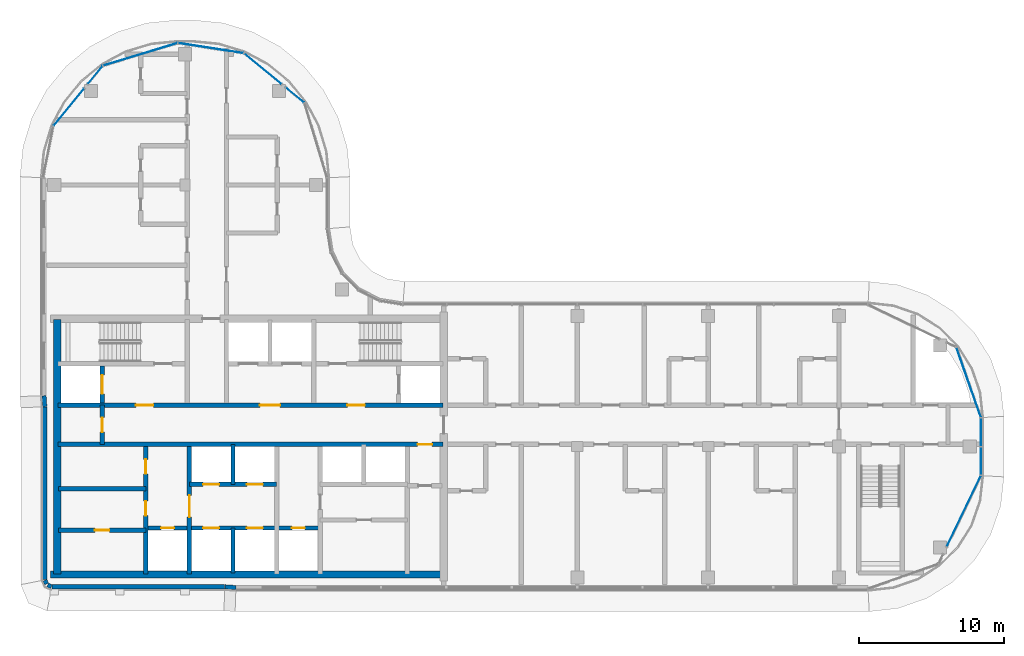
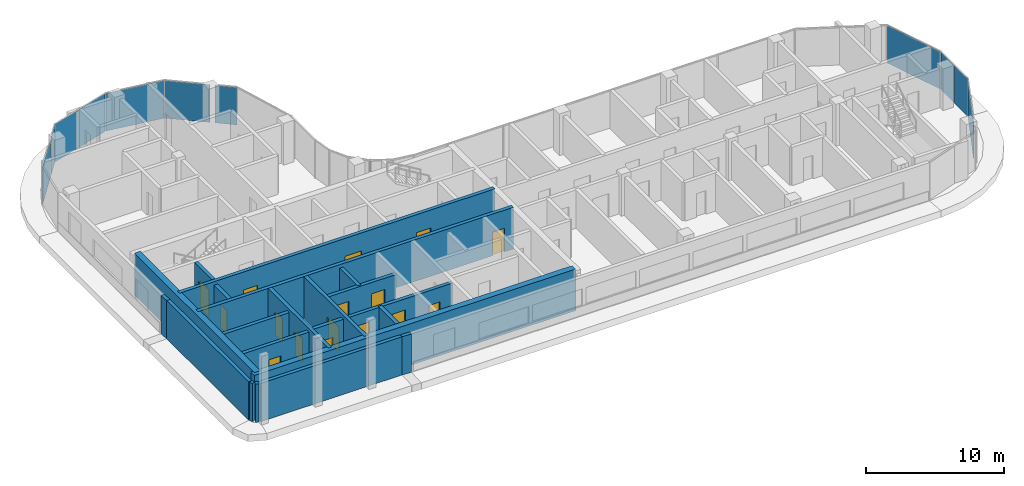
# One storey, part 12 of 22: 20 walls, 16 doors, 10 plates, 16 openings, 6 elements without a shape of their own.
"""IFC4 building model written with IfcOpenShell, lengths in metres."""

from ifc_helpers import new_model, si_unit, direction, frame, frame_2d, origin, origin_2d, place, context, subcontext, project, spatial, rectangle, extrude, material, layer, layer_set, type_object, element, fill, aggregate, save


model = new_model("IFC4")

# Units and contexts
model_context = context("Model", 3, precision=1e-05, world=origin(), true_north=direction((0.0, 1.0)))
body_context = subcontext(model_context, "Body", "Model", "MODEL_VIEW")
ifc_project = project(units=[si_unit("LENGTHUNIT", "METRE"), si_unit("AREAUNIT", "SQUARE_METRE"), si_unit("VOLUMEUNIT", "CUBIC_METRE"), si_unit("PLANEANGLEUNIT", "RADIAN"), si_unit("MASSUNIT", "GRAM", prefix="KILO")], contexts=[model_context])

# Site, building, storey
site_placement = place(None, origin())
site = spatial("IfcSite", under=ifc_project, at=site_placement, CompositionType="ELEMENT")
building_placement = place(site_placement, origin())
building = spatial("IfcBuilding", under=site, at=building_placement, Name="Ogive Portal Towers", CompositionType="ELEMENT")
storey_placement = place(building_placement, frame((0.0, 0.0, 206.89990234375)))
storey = spatial("IfcBuildingStorey", under=building, at=storey_placement, Name="L51", CompositionType="ELEMENT", Elevation=206.89990234375)

# Curtain wall, plates
ifc_material_1 = material(Name="Glass, clear low-iron insulated glazing", Category="glass")
curtain_wall_type = type_object("IfcCurtainWallType", Name="CW FRONT RIBBON 4500", PredefinedType="NOTDEFINED", material=ifc_material_1)
curtain_wall_1_placement = place(storey_placement, origin())
curtain_wall_1 = element("IfcCurtainWall", 1, at=curtain_wall_1_placement, inside=storey, type_object=curtain_wall_type, Name="A:L51:f08:cw0", PredefinedType="NOTDEFINED")
ifc_layer_1 = layer(ifc_material_1, 0.028076171875)
ifc_layer_set_1 = layer_set([ifc_layer_1], Name="CW PANEL IGU 28")
plate_type = type_object("IfcPlateType", Name="CW PANEL IGU 28", PredefinedType="CURTAIN_PANEL", material=ifc_layer_set_1)
plate_1_placement = place(storey_placement, frame((95.27490234375, 29.509033203125, 0.0), z_axis=(0.0, 0.0, 1.0), x_axis=(0.0, 1.0, 0.0)))
plate_1 = element("IfcPlate", 2, at=plate_1_placement, type_object=plate_type, Name="panel", PredefinedType="CURTAIN_PANEL", context=body_context, shape_type="SweptSolid", body=[
    extrude(rectangle(XDim=1.921630859375, YDim=0.028076171875, at=origin_2d()), origin(), (0.0, 0.0, 1.0), 3.340087890625),
])
plate_2_placement = place(storey_placement, frame((95.27490234375, 31.4931640625, 0.0), z_axis=(0.0, 0.0, 1.0), x_axis=(0.0, 1.0, 0.0)))
plate_2 = element("IfcPlate", 3, at=plate_2_placement, type_object=plate_type, Name="panel", PredefinedType="CURTAIN_PANEL", context=body_context, shape_type="SweptSolid", body=[
    extrude(rectangle(XDim=1.926513671875, YDim=0.028076171875, at=origin_2d()), origin(), (0.0, 0.0, 1.0), 3.340087890625),
])
aggregate(curtain_wall_1, [plate_1, plate_2])

# Curtain wall, plate
curtain_wall_2_placement = place(storey_placement, origin())
curtain_wall_2 = element("IfcCurtainWall", 4, at=curtain_wall_2_placement, inside=storey, type_object=curtain_wall_type, Name="A:L51:f06:cwa~1", PredefinedType="NOTDEFINED")
plate_3_placement = place(storey_placement, frame((94.08740234375, 26.052490234375, 0.0), z_axis=(0.0, 0.0, 1.0), x_axis=(0.433883739113, 0.900968867905, 0.0)))
plate_3 = element("IfcPlate", 5, at=plate_3_placement, type_object=plate_type, Name="panel", PredefinedType="CURTAIN_PANEL", context=body_context, shape_type="SweptSolid", body=[
    extrude(rectangle(XDim=5.413818359375, YDim=0.028076171875, at=origin_2d()), origin(), (0.0, 0.0, 1.0), 3.340087890625),
])
aggregate(curtain_wall_2, [plate_3])

curtain_wall_3_placement = place(storey_placement, origin())
curtain_wall_3 = element("IfcCurtainWall", 6, at=curtain_wall_3_placement, inside=storey, type_object=curtain_wall_type, Name="A:L51:f09:cwa~0", PredefinedType="NOTDEFINED")
plate_4_placement = place(storey_placement, frame((94.42578125, 34.9130859375, 0.0), z_axis=(0.0, 0.0, 1.0), x_axis=(-0.33027906196, 0.943883330307, 0.0)))
plate_4 = element("IfcPlate", 7, at=plate_4_placement, type_object=plate_type, Name="panel", PredefinedType="CURTAIN_PANEL", context=body_context, shape_type="SweptSolid", body=[
    extrude(rectangle(XDim=5.08203125, YDim=0.028076171875, at=origin_2d()), origin(), (0.0, 0.0, 1.0), 3.340087890625),
])
aggregate(curtain_wall_3, [plate_4])

curtain_wall_4_placement = place(storey_placement, origin())
curtain_wall_4 = element("IfcCurtainWall", 8, at=curtain_wall_4_placement, inside=storey, type_object=curtain_wall_type, Name="A:L51:f18:cwa~0", PredefinedType="NOTDEFINED")
plate_5_placement = place(storey_placement, frame((48.06591796875, 54.678466796875, 0.0), z_axis=(0.0, 0.0, 1.0), x_axis=(-0.773010453363, 0.634393284164, 0.0)))
plate_5 = element("IfcPlate", 9, at=plate_5_placement, type_object=plate_type, Name="panel", PredefinedType="CURTAIN_PANEL", context=body_context, shape_type="SweptSolid", body=[
    extrude(rectangle(XDim=1.603515625, YDim=0.028076171875, at=origin_2d()), origin(), (0.0, 0.0, 1.0), 3.340087890625),
])
aggregate(curtain_wall_4, [plate_5])

# Curtain wall, plates
curtain_wall_5_placement = place(storey_placement, origin())
curtain_wall_5 = element("IfcCurtainWall", 10, at=curtain_wall_5_placement, inside=storey, type_object=curtain_wall_type, Name="A:L51:f18:cwa~1", PredefinedType="NOTDEFINED")
plate_6_placement = place(storey_placement, frame((45.8525390625, 56.4951171875, 0.0), z_axis=(0.0, 0.0, 1.0), x_axis=(-0.773010453363, 0.634393284164, 0.0)))
plate_6 = element("IfcPlate", 11, at=plate_6_placement, type_object=plate_type, Name="panel", PredefinedType="CURTAIN_PANEL", context=body_context, shape_type="SweptSolid", body=[
    extrude(rectangle(XDim=3.31982421875, YDim=0.028076171875, at=origin_2d()), origin(), (0.0, 0.0, 1.0), 3.340087890625),
])
plate_7_placement = place(storey_placement, frame((42.27587890625, 57.920166015625, 0.0), z_axis=(0.0, 0.0, 1.0), x_axis=(-0.988127542509, 0.153635802256, 0.0)))
plate_7 = element("IfcPlate", 12, at=plate_7_placement, type_object=plate_type, Name="panel", PredefinedType="CURTAIN_PANEL", context=body_context, shape_type="SweptSolid", body=[
    extrude(rectangle(XDim=4.534912109375, YDim=0.028076171875, at=origin_2d()), origin(), (0.0, 0.0, 1.0), 3.340087890625),
])
plate_8_placement = place(storey_placement, frame((37.427490234375, 57.490966796875, 0.0), z_axis=(0.0, 0.0, 1.0), x_axis=(-0.956940335732, -0.290284677254, 0.0)))
plate_8 = element("IfcPlate", 13, at=plate_8_placement, type_object=plate_type, Name="panel", PredefinedType="CURTAIN_PANEL", context=body_context, shape_type="SweptSolid", body=[
    extrude(rectangle(XDim=5.32861328125, YDim=0.028076171875, at=origin_2d()), origin(), (0.0, 0.0, 1.0), 3.340087890625),
])
plate_9_placement = place(storey_placement, frame((34.321533203125, 56.06591796875, 0.0), z_axis=(0.0, 0.0, 1.0), x_axis=(-0.634393284164, -0.773010453363, 0.0)))
plate_9 = element("IfcPlate", 14, at=plate_9_placement, type_object=plate_type, Name="panel", PredefinedType="CURTAIN_PANEL", context=body_context, shape_type="SweptSolid", body=[
    extrude(rectangle(XDim=1.603515625, YDim=0.028076171875, at=origin_2d()), origin(), (0.0, 0.0, 1.0), 3.340087890625),
])
aggregate(curtain_wall_5, [plate_6, plate_7, plate_8, plate_9])

# Curtain wall, plate
curtain_wall_6_placement = place(storey_placement, origin())
curtain_wall_6 = element("IfcCurtainWall", 15, at=curtain_wall_6_placement, inside=storey, type_object=curtain_wall_type, Name="A:L51:f18:cwa~2", PredefinedType="NOTDEFINED")
plate_10_placement = place(storey_placement, frame((32.50439453125, 53.851806640625, 0.0), z_axis=(0.0, 0.0, 1.0), x_axis=(-0.634393284164, -0.773010453363, 0.0)))
plate_10 = element("IfcPlate", 16, at=plate_10_placement, type_object=plate_type, Name="panel", PredefinedType="CURTAIN_PANEL", context=body_context, shape_type="SweptSolid", body=[
    extrude(rectangle(XDim=3.32177734375, YDim=0.028076171875, at=origin_2d()), origin(), (0.0, 0.0, 1.0), 3.340087890625),
])
aggregate(curtain_wall_6, [plate_10])

# Wall, openings, doors
ifc_material_2 = material(Name="Concrete C60/75", Category="concrete")
ifc_layer_2 = layer(ifc_material_2, 0.300048828125)
ifc_layer_set_2 = layer_set([ifc_layer_2], Name="CORE WALL 300 C60")
wall_type_1 = type_object("IfcWallType", Name="CORE WALL 300 C60", PredefinedType="SHEAR", material=ifc_layer_set_2)
wall_1_placement = place(storey_placement, frame((37.800048828125, 21.75, 0.0), z_axis=(0.0, 0.0, 1.0), x_axis=(0.0, 1.0, 0.0)))
wall_1 = element("IfcWall", 17, at=wall_1_placement, inside=storey, type_object=wall_type_1, Name="Core wall X1 L51", PredefinedType="SHEAR", context=body_context, shape_type="SweptSolid", body=[
    extrude(rectangle(XDim=8.75, YDim=0.300048828125, at=frame_2d((4.375, 0.0))), origin(), (0.0, 0.0, 1.0), 3.7001953125),
])
opening_1_placement = place(wall_1_placement, frame((6.875, 0.0, 0.0)))
opening_1 = element("IfcOpeningElement", 18, at=opening_1_placement, cuts=wall_1, Name="Opening D23-021", PredefinedType="OPENING", context=body_context, shape_type="SweptSolid", body=[
    extrude(rectangle(XDim=1.0, YDim=2.10009765625, at=frame_2d((0.5, 1.050048828125))), frame((0.0, 0.16015625, 0.0), z_axis=(0.0, -1.0, 0.0), x_axis=(1.0, 0.0, 0.0)), (0.0, 0.0, 1.0), 0.320068359375),
])
opening_2_placement = place(wall_1_placement, frame((4.0, 0.0, 0.0)))
opening_2 = element("IfcOpeningElement", 19, at=opening_2_placement, cuts=wall_1, Name="Opening D23-022", PredefinedType="OPENING", context=body_context, shape_type="SweptSolid", body=[
    extrude(rectangle(XDim=1.0, YDim=2.10009765625, at=frame_2d((0.5, 1.050048828125))), frame((0.0, 0.16015625, 0.0), z_axis=(0.0, -1.0, 0.0), x_axis=(1.0, 0.0, 0.0)), (0.0, 0.0, 1.0), 0.320068359375),
])
ifc_material_3 = material(Name="Steel fire door", Category="steel")
door_type_1 = type_object("IfcDoorType", Name="DT-SWING-1000x2100-FD90S", OperationType="SINGLE_SWING_LEFT", PredefinedType="DOOR", material=ifc_material_3)
door_1_placement = place(opening_1_placement, origin())
door_1 = element("IfcDoor", 20, at=door_1_placement, inside=storey, type_object=door_type_1, Name="Door D23-021", OperationType="SINGLE_SWING_LEFT", OverallHeight=2.10009765625, OverallWidth=1.0, PredefinedType="DOOR", context=body_context, shape_type="SweptSolid", body=[
    extrude(rectangle(XDim=1.0, YDim=2.10009765625, at=frame_2d((0.5, 1.050048828125))), frame((0.0, 0.02490234375, 0.0), z_axis=(0.0, -1.0, 0.0), x_axis=(1.0, 0.0, 0.0)), (0.0, 0.0, 1.0), 0.050048828125),
])
fill(opening_1, door_1)
door_2_placement = place(opening_2_placement, origin())
door_2 = element("IfcDoor", 21, at=door_2_placement, inside=storey, type_object=door_type_1, Name="Door D23-022", OperationType="SINGLE_SWING_RIGHT", OverallHeight=2.10009765625, OverallWidth=1.0, PredefinedType="DOOR", context=body_context, shape_type="SweptSolid", body=[
    extrude(rectangle(XDim=1.0, YDim=2.10009765625, at=frame_2d((0.5, 1.050048828125))), frame((0.0, 0.02490234375, 0.0), z_axis=(0.0, -1.0, 0.0), x_axis=(1.0, 0.0, 0.0)), (0.0, 0.0, 1.0), 0.050048828125),
])
fill(opening_2, door_2)

# Wall, opening, door
wall_2_placement = place(storey_placement, frame((40.800048828125, 21.75, 0.0), z_axis=(0.0, 0.0, 1.0), x_axis=(0.0, 1.0, 0.0)))
wall_2 = element("IfcWall", 22, at=wall_2_placement, inside=storey, type_object=wall_type_1, Name="Core wall X2 L51", PredefinedType="SHEAR", context=body_context, shape_type="SweptSolid", body=[
    extrude(rectangle(XDim=8.75, YDim=0.300048828125, at=frame_2d((4.375, 0.0))), origin(), (0.0, 0.0, 1.0), 3.7001953125),
])
opening_3_placement = place(wall_2_placement, frame((3.89990234375, 0.0, 0.0)))
opening_3 = element("IfcOpeningElement", 23, at=opening_3_placement, cuts=wall_2, Name="Opening D23-001", PredefinedType="OPENING", context=body_context, shape_type="SweptSolid", body=[
    extrude(rectangle(XDim=1.5, YDim=2.10009765625, at=frame_2d((0.75, 1.050048828125))), frame((0.0, 0.16015625, 0.0), z_axis=(0.0, -1.0, 0.0), x_axis=(1.0, 0.0, 0.0)), (0.0, 0.0, 1.0), 0.320068359375),
])
door_type_2 = type_object("IfcDoorType", Name="DT-SWING-1500x2100-FD90S", OperationType="SINGLE_SWING_LEFT", PredefinedType="DOOR", material=ifc_material_3)
door_3_placement = place(opening_3_placement, origin())
door_3 = element("IfcDoor", 24, at=door_3_placement, inside=storey, type_object=door_type_2, Name="Door D23-001", OperationType="SINGLE_SWING_RIGHT", OverallHeight=2.10009765625, OverallWidth=1.5, PredefinedType="DOOR", context=body_context, shape_type="SweptSolid", body=[
    extrude(rectangle(XDim=1.5, YDim=2.10009765625, at=frame_2d((0.75, 1.050048828125))), frame((0.0, 0.02490234375, 0.0), z_axis=(0.0, -1.0, 0.0), x_axis=(1.0, 0.0, 0.0)), (0.0, 0.0, 1.0), 0.050048828125),
])
fill(opening_3, door_3)

wall_3_placement = place(storey_placement, frame((31.75, 30.64990234375, 0.0), z_axis=(0.0, 0.0, 1.0), x_axis=(1.0, 0.0, 0.0)))
wall_3 = element("IfcWall", 25, at=wall_3_placement, inside=storey, type_object=wall_type_1, Name="Core wall Y1 L51", PredefinedType="SHEAR", context=body_context, shape_type="SweptSolid", body=[
    extrude(rectangle(XDim=26.5, YDim=0.300048828125, at=frame_2d((13.25, 0.0))), origin(), (0.0, 0.0, 1.0), 3.7001953125),
])
opening_4_placement = place(wall_3_placement, frame((24.75, 0.0, 0.0)))
opening_4 = element("IfcOpeningElement", 26, at=opening_4_placement, cuts=wall_3, Name="Opening D23-009", PredefinedType="OPENING", context=body_context, shape_type="SweptSolid", body=[
    extrude(rectangle(XDim=1.0, YDim=2.10009765625, at=frame_2d((0.5, 1.050048828125))), frame((0.0, 0.16015625, 0.0), z_axis=(0.0, -1.0, 0.0), x_axis=(1.0, 0.0, 0.0)), (0.0, 0.0, 1.0), 0.320068359375),
])
door_4_placement = place(opening_4_placement, origin())
door_4 = element("IfcDoor", 27, at=door_4_placement, inside=storey, type_object=door_type_1, Name="Door D23-009", OperationType="SINGLE_SWING_LEFT", OverallHeight=2.10009765625, OverallWidth=1.0, PredefinedType="DOOR", context=body_context, shape_type="SweptSolid", body=[
    extrude(rectangle(XDim=1.0, YDim=2.10009765625, at=frame_2d((0.5, 1.050048828125))), frame((0.0, 0.02490234375, 0.0), z_axis=(0.0, -1.0, 0.0), x_axis=(1.0, 0.0, 0.0)), (0.0, 0.0, 1.0), 0.050048828125),
])
fill(opening_4, door_4)

# Wall, openings, doors
wall_4_placement = place(storey_placement, frame((31.75, 33.35009765625, 0.0), z_axis=(0.0, 0.0, 1.0), x_axis=(1.0, 0.0, 0.0)))
wall_4 = element("IfcWall", 28, at=wall_4_placement, inside=storey, type_object=wall_type_1, Name="Core wall Y2 L51", PredefinedType="SHEAR", context=body_context, shape_type="SweptSolid", body=[
    extrude(rectangle(XDim=26.5, YDim=0.300048828125, at=frame_2d((13.25, 0.0))), origin(), (0.0, 0.0, 1.0), 3.7001953125),
])
opening_5_placement = place(wall_4_placement, frame((13.89990234375, 0.0, 0.0)))
opening_5 = element("IfcOpeningElement", 29, at=opening_5_placement, cuts=wall_4, Name="Opening D23-002", PredefinedType="OPENING", context=body_context, shape_type="SweptSolid", body=[
    extrude(rectangle(XDim=1.39990234375, YDim=2.10009765625, at=frame_2d((0.699951171875, 1.050048828125))), frame((0.0, 0.16015625, 0.0), z_axis=(0.0, -1.0, 0.0), x_axis=(1.0, 0.0, 0.0)), (0.0, 0.0, 1.0), 0.320068359375),
])
opening_6_placement = place(wall_4_placement, frame((5.375, 0.0, 0.0)))
opening_6 = element("IfcOpeningElement", 30, at=opening_6_placement, cuts=wall_4, Name="Opening D23-003", PredefinedType="OPENING", context=body_context, shape_type="SweptSolid", body=[
    extrude(rectangle(XDim=1.199951171875, YDim=2.10009765625, at=frame_2d((0.60009765625, 1.050048828125))), frame((0.0, 0.16015625, 0.0), z_axis=(0.0, -1.0, 0.0), x_axis=(1.0, 0.0, 0.0)), (0.0, 0.0, 1.0), 0.320068359375),
])
opening_7_placement = place(wall_4_placement, frame((19.925048828125, 0.0, 0.0)))
opening_7 = element("IfcOpeningElement", 31, at=opening_7_placement, cuts=wall_4, Name="Opening D23-004", PredefinedType="OPENING", context=body_context, shape_type="SweptSolid", body=[
    extrude(rectangle(XDim=1.199951171875, YDim=2.10009765625, at=frame_2d((0.60009765625, 1.050048828125))), frame((0.0, 0.16015625, 0.0), z_axis=(0.0, -1.0, 0.0), x_axis=(1.0, 0.0, 0.0)), (0.0, 0.0, 1.0), 0.320068359375),
])
door_type_3 = type_object("IfcDoorType", Name="DT-SWING-1200x2100-FD90S", OperationType="SINGLE_SWING_LEFT", PredefinedType="DOOR", material=ifc_material_3)
door_5_placement = place(opening_6_placement, origin())
door_5 = element("IfcDoor", 32, at=door_5_placement, inside=storey, type_object=door_type_3, Name="Door D23-003", OperationType="SINGLE_SWING_LEFT", OverallHeight=2.10009765625, OverallWidth=1.199951171875, PredefinedType="DOOR", context=body_context, shape_type="SweptSolid", body=[
    extrude(rectangle(XDim=1.199951171875, YDim=2.10009765625, at=frame_2d((0.60009765625, 1.050048828125))), frame((0.0, 0.02490234375, 0.0), z_axis=(0.0, -1.0, 0.0), x_axis=(1.0, 0.0, 0.0)), (0.0, 0.0, 1.0), 0.050048828125),
])
fill(opening_6, door_5)
door_6_placement = place(opening_7_placement, origin())
door_6 = element("IfcDoor", 33, at=door_6_placement, inside=storey, type_object=door_type_3, Name="Door D23-004", OperationType="SINGLE_SWING_RIGHT", OverallHeight=2.10009765625, OverallWidth=1.199951171875, PredefinedType="DOOR", context=body_context, shape_type="SweptSolid", body=[
    extrude(rectangle(XDim=1.199951171875, YDim=2.10009765625, at=frame_2d((0.60009765625, 1.050048828125))), frame((0.0, 0.02490234375, 0.0), z_axis=(0.0, -1.0, 0.0), x_axis=(1.0, 0.0, 0.0)), (0.0, 0.0, 1.0), 0.050048828125),
])
fill(opening_7, door_6)
door_type_4 = type_object("IfcDoorType", Name="DT-SWING-1400x2100-FD90S", OperationType="SINGLE_SWING_LEFT", PredefinedType="DOOR", material=ifc_material_3)
door_7_placement = place(opening_5_placement, origin())
door_7 = element("IfcDoor", 34, at=door_7_placement, inside=storey, type_object=door_type_4, Name="Door D23-002", OperationType="SINGLE_SWING_RIGHT", OverallHeight=2.10009765625, OverallWidth=1.39990234375, PredefinedType="DOOR", context=body_context, shape_type="SweptSolid", body=[
    extrude(rectangle(XDim=1.39990234375, YDim=2.10009765625, at=frame_2d((0.699951171875, 1.050048828125))), frame((0.0, 0.02490234375, 0.0), z_axis=(0.0, -1.0, 0.0), x_axis=(1.0, 0.0, 0.0)), (0.0, 0.0, 1.0), 0.050048828125),
])
fill(opening_5, door_7)

# Wall, opening, door
wall_5_placement = place(storey_placement, frame((34.800048828125, 33.5, 0.0), z_axis=(0.0, 0.0, 1.0), x_axis=(0.0, 1.0, 0.0)))
wall_5 = element("IfcWall", 35, at=wall_5_placement, inside=storey, type_object=wall_type_1, Name="Core wall X8 L51", PredefinedType="SHEAR", context=body_context, shape_type="SweptSolid", body=[
    extrude(rectangle(XDim=2.550048828125, YDim=0.300048828125, at=frame_2d((1.27490234375, 0.0))), origin(), (0.0, 0.0, 1.0), 3.7001953125),
])
opening_8_placement = place(wall_5_placement, frame((0.625, 0.0, 0.0)))
opening_8 = element("IfcOpeningElement", 36, at=opening_8_placement, cuts=wall_5, Name="Opening D23-019", PredefinedType="OPENING", context=body_context, shape_type="SweptSolid", body=[
    extrude(rectangle(XDim=1.300048828125, YDim=2.39990234375, at=frame_2d((0.64990234375, 1.199951171875))), frame((0.0, 0.16015625, 0.0), z_axis=(0.0, -1.0, 0.0), x_axis=(1.0, 0.0, 0.0)), (0.0, 0.0, 1.0), 0.320068359375),
])
ifc_material_4 = material(Name="Stainless steel", Category="steel")
door_type_5 = type_object("IfcDoorType", Name="DT-LD-1300x2400", OperationType="SLIDING_TO_LEFT", PredefinedType="DOOR", material=ifc_material_4)
door_8_placement = place(opening_8_placement, origin())
door_8 = element("IfcDoor", 37, at=door_8_placement, inside=storey, type_object=door_type_5, Name="Door D23-019", OperationType="SLIDING_TO_LEFT", OverallHeight=2.39990234375, OverallWidth=1.300048828125, PredefinedType="DOOR", context=body_context, shape_type="SweptSolid", body=[
    extrude(rectangle(XDim=1.300048828125, YDim=2.39990234375, at=frame_2d((0.64990234375, 1.199951171875))), frame((0.0, 0.02490234375, 0.0), z_axis=(0.0, -1.0, 0.0), x_axis=(1.0, 0.0, 0.0)), (0.0, 0.0, 1.0), 0.050048828125),
])
fill(opening_8, door_8)

# Walls
ifc_layer_3 = layer(ifc_material_2, 0.5)
ifc_layer_set_3 = layer_set([ifc_layer_3], Name="CORE WALL 500 C60")
wall_type_2 = type_object("IfcWallType", Name="CORE WALL 500 C60", PredefinedType="SHEAR", material=ifc_layer_set_3)
wall_6_placement = place(storey_placement, frame((31.699951171875, 21.75, 0.0), z_axis=(0.0, 0.0, 1.0), x_axis=(0.0, 1.0, 0.0)))
element("IfcWall", 38, at=wall_6_placement, inside=storey, type_object=wall_type_2, Name="Core wall W L51", PredefinedType="SHEAR", context=body_context, shape_type="SweptSolid", body=[
    extrude(rectangle(XDim=17.5, YDim=0.5, at=frame_2d((8.75, 0.0))), origin(), (0.0, 0.0, 1.0), 3.7001953125),
])
wall_7_placement = place(storey_placement, frame((31.25, 21.699951171875, 0.0), z_axis=(0.0, 0.0, 1.0), x_axis=(1.0, 0.0, 0.0)))
element("IfcWall", 39, at=wall_7_placement, inside=storey, type_object=wall_type_2, Name="Core wall S L51", PredefinedType="SHEAR", context=body_context, shape_type="SweptSolid", body=[
    extrude(rectangle(XDim=27.0, YDim=0.5, at=frame_2d((13.5, 0.0))), origin(), (0.0, 0.0, 1.0), 3.7001953125),
])
ifc_material_5 = material(Name="Limestone cladding on lightweight block wall", Category="masonry")
ifc_layer_4 = layer(ifc_material_5, 0.300048828125)
ifc_layer_set_4 = layer_set([ifc_layer_4], Name="EXTERNAL WALL 300 STONE")
wall_type_3 = type_object("IfcWallType", Name="EXTERNAL WALL 300 STONE", PredefinedType="SOLIDWALL", material=ifc_layer_set_4)
wall_8_placement = place(storey_placement, frame((30.85009765625, 33.23095703125, 0.0), z_axis=(0.0, 0.0, 1.0), x_axis=(0.0, -1.0, 0.0)))
element("IfcWall", 40, at=wall_8_placement, inside=storey, type_object=wall_type_3, Name="A:L51:f00:r0:wall", PredefinedType="SOLIDWALL", context=body_context, shape_type="SweptSolid", body=[
    extrude(rectangle(XDim=11.871337890625, YDim=0.300048828125, at=frame_2d((5.935546875, 0.0))), origin(), (0.0, 0.0, 1.0), 3.400146484375),
])
for number, where, z_axis, x_axis, name in (
    (41, (30.861328125, 21.30224609375, 0.0), (0.0, 0.0, 1.0), (0.38297812142, -0.923757413239, 0.0), "A:L51:f01:r0:wall"),
    (42, (31.0478515625, 20.966796875, 0.0), (0.0, 0.0, 1.0), (0.923757413239, -0.38297812142, 0.0), "A:L51:f02:r0:wall"),
):
    element("IfcWall", number, at=place(storey_placement, frame(where, z_axis=z_axis, x_axis=x_axis)), inside=storey, type_object=wall_type_3, Name=name, PredefinedType="SOLIDWALL", context=body_context, shape_type="SweptSolid", body=[
        extrude(rectangle(XDim=0.275390625, YDim=0.300048828125, at=frame_2d((0.1376953125, 0.0))), origin(), (0.0, 0.0, 1.0), 3.400146484375),
    ])
wall_9_placement = place(storey_placement, frame((31.359619140625, 20.85009765625, 0.0), z_axis=(0.0, 0.0, 1.0), x_axis=(1.0, 0.0, 0.0)))
element("IfcWall", 43, at=wall_9_placement, inside=storey, type_object=wall_type_3, Name="A:L51:f03:r0:wall", PredefinedType="SOLIDWALL", context=body_context, shape_type="SweptSolid", body=[
    extrude(rectangle(XDim=11.871337890625, YDim=0.300048828125, at=frame_2d((5.935546875, 0.0))), origin(), (0.0, 0.0, 1.0), 3.400146484375),
])
for number, where, z_axis, x_axis, name in (
    (44, (43.24169921875, 20.849609375, 0.0), (0.0, 0.0, 1.0), (0.997455438499, -0.07129269393, 0.0), "A:L51:f04:r0:wall"),
    (45, (30.79541015625, 34.0, 0.0), (0.0, 0.0, 1.0), (0.07129269393, -0.997455438499, 0.0), "A:L51:f25:r0:wall"),
):
    element("IfcWall", number, at=place(storey_placement, frame(where, z_axis=z_axis, x_axis=x_axis)), inside=storey, type_object=wall_type_3, Name=name, PredefinedType="SOLIDWALL", context=body_context, shape_type="SweptSolid", body=[
        extrude(rectangle(XDim=0.76025390625, YDim=0.300048828125, at=frame_2d((0.380126953125, 0.0))), origin(), (0.0, 0.0, 1.0), 3.400146484375),
    ])

# Wall, opening, door
ifc_material_6 = material(Name="Gypsum board partition on steel studs", Category="steel")
ifc_layer_5 = layer(ifc_material_6, 0.300048828125)
ifc_layer_set_5 = layer_set([ifc_layer_5], Name="WT-PART-300")
wall_type_4 = type_object("IfcWallType", Name="WT-PART-300", PredefinedType="PARTITIONING", material=ifc_layer_set_5)
wall_10_placement = place(storey_placement, frame((31.800048828125, 24.75, 0.0), z_axis=(0.0, 0.0, 1.0), x_axis=(1.0, 0.0, 0.0)))
wall_10 = element("IfcWall", 46, at=wall_10_placement, inside=storey, type_object=wall_type_4, Name="Wall pw:001:L51", PredefinedType="PARTITIONING", context=body_context, shape_type="SweptSolid", body=[
    extrude(rectangle(XDim=6.0, YDim=0.300048828125, at=frame_2d((3.0, 0.0))), origin(), (0.0, 0.0, 1.0), 3.400146484375),
])
opening_9_placement = place(wall_10_placement, frame((2.5, 0.0, 0.0)))
opening_9 = element("IfcOpeningElement", 47, at=opening_9_placement, cuts=wall_10, Name="Opening D23-023", PredefinedType="OPENING", context=body_context, shape_type="SweptSolid", body=[
    extrude(rectangle(XDim=1.0, YDim=2.10009765625, at=frame_2d((0.5, 1.050048828125))), frame((0.0, 0.16015625, 0.0), z_axis=(0.0, -1.0, 0.0), x_axis=(1.0, 0.0, 0.0)), (0.0, 0.0, 1.0), 0.320068359375),
])
door_type_6 = type_object("IfcDoorType", Name="DT-SWING-1000x2100-FD60S", OperationType="SINGLE_SWING_LEFT", PredefinedType="DOOR", material=ifc_material_3)
door_9_placement = place(opening_9_placement, origin())
door_9 = element("IfcDoor", 48, at=door_9_placement, inside=storey, type_object=door_type_6, Name="Door D23-023", OperationType="SINGLE_SWING_RIGHT", OverallHeight=2.10009765625, OverallWidth=1.0, PredefinedType="DOOR", context=body_context, shape_type="SweptSolid", body=[
    extrude(rectangle(XDim=1.0, YDim=2.10009765625, at=frame_2d((0.5, 1.050048828125))), frame((0.0, 0.02490234375, 0.0), z_axis=(0.0, -1.0, 0.0), x_axis=(1.0, 0.0, 0.0)), (0.0, 0.0, 1.0), 0.050048828125),
])
fill(opening_9, door_9)

# Wall
wall_11_placement = place(storey_placement, frame((31.800048828125, 27.60009765625, 0.0), z_axis=(0.0, 0.0, 1.0), x_axis=(1.0, 0.0, 0.0)))
element("IfcWall", 49, at=wall_11_placement, inside=storey, type_object=wall_type_4, Name="Wall pw:004:L51", PredefinedType="PARTITIONING", context=body_context, shape_type="SweptSolid", body=[
    extrude(rectangle(XDim=6.0, YDim=0.300048828125, at=frame_2d((3.0, 0.0))), origin(), (0.0, 0.0, 1.0), 3.400146484375),
])

# Wall, openings, doors
ifc_material_7 = material(Name="Concrete C40/50", Category="concrete")
ifc_layer_6 = layer(ifc_material_7, 0.300048828125)
ifc_layer_set_6 = layer_set([ifc_layer_6], Name="WT-SHAFT-300")
wall_type_5 = type_object("IfcWallType", Name="WT-SHAFT-300", PredefinedType="SOLIDWALL", material=ifc_layer_set_6)
wall_12_placement = place(storey_placement, frame((37.800048828125, 24.89990234375, 0.0), z_axis=(0.0, 0.0, 1.0), x_axis=(1.0, 0.0, 0.0)))
wall_12 = element("IfcWall", 50, at=wall_12_placement, inside=storey, type_object=wall_type_5, Name="Wall pw:002:L51", PredefinedType="SOLIDWALL", context=body_context, shape_type="SweptSolid", body=[
    extrude(rectangle(XDim=12.0, YDim=0.300048828125, at=frame_2d((6.0, 0.0))), origin(), (0.0, 0.0, 1.0), 3.400146484375),
])
opening_10_placement = place(wall_12_placement, frame((1.050048828125, 0.0, 0.0)))
opening_10 = element("IfcOpeningElement", 51, at=opening_10_placement, cuts=wall_12, Name="Opening D23-007", PredefinedType="OPENING", context=body_context, shape_type="SweptSolid", body=[
    extrude(rectangle(XDim=0.89990234375, YDim=2.10009765625, at=frame_2d((0.449951171875, 1.050048828125))), frame((0.0, 0.16015625, 0.0), z_axis=(0.0, -1.0, 0.0), x_axis=(1.0, 0.0, 0.0)), (0.0, 0.0, 1.0), 0.320068359375),
])
opening_11_placement = place(wall_12_placement, frame((10.050048828125, 0.0, 0.0)))
opening_11 = element("IfcOpeningElement", 52, at=opening_11_placement, cuts=wall_12, Name="Opening D23-008", PredefinedType="OPENING", context=body_context, shape_type="SweptSolid", body=[
    extrude(rectangle(XDim=0.89990234375, YDim=2.10009765625, at=frame_2d((0.449951171875, 1.050048828125))), frame((0.0, 0.16015625, 0.0), z_axis=(0.0, -1.0, 0.0), x_axis=(1.0, 0.0, 0.0)), (0.0, 0.0, 1.0), 0.320068359375),
])
opening_12_placement = place(wall_12_placement, frame((3.949951171875, 0.0, 0.0)))
opening_12 = element("IfcOpeningElement", 53, at=opening_12_placement, cuts=wall_12, Name="Opening D23-013", PredefinedType="OPENING", context=body_context, shape_type="SweptSolid", body=[
    extrude(rectangle(XDim=1.10009765625, YDim=2.39990234375, at=frame_2d((0.550048828125, 1.199951171875))), frame((0.0, 0.16015625, 0.0), z_axis=(0.0, -1.0, 0.0), x_axis=(1.0, 0.0, 0.0)), (0.0, 0.0, 1.0), 0.320068359375),
])
opening_13_placement = place(wall_12_placement, frame((6.949951171875, 0.0, 0.0)))
opening_13 = element("IfcOpeningElement", 54, at=opening_13_placement, cuts=wall_12, Name="Opening D23-014", PredefinedType="OPENING", context=body_context, shape_type="SweptSolid", body=[
    extrude(rectangle(XDim=1.10009765625, YDim=2.39990234375, at=frame_2d((0.550048828125, 1.199951171875))), frame((0.0, 0.16015625, 0.0), z_axis=(0.0, -1.0, 0.0), x_axis=(1.0, 0.0, 0.0)), (0.0, 0.0, 1.0), 0.320068359375),
])
door_type_7 = type_object("IfcDoorType", Name="DT-LD-1100x2400", OperationType="SLIDING_TO_LEFT", PredefinedType="DOOR", material=ifc_material_4)
door_10_placement = place(opening_12_placement, origin())
door_10 = element("IfcDoor", 55, at=door_10_placement, inside=storey, type_object=door_type_7, Name="Door D23-013", OperationType="SLIDING_TO_LEFT", OverallHeight=2.39990234375, OverallWidth=1.10009765625, PredefinedType="DOOR", context=body_context, shape_type="SweptSolid", body=[
    extrude(rectangle(XDim=1.10009765625, YDim=2.39990234375, at=frame_2d((0.550048828125, 1.199951171875))), frame((0.0, 0.02490234375, 0.0), z_axis=(0.0, -1.0, 0.0), x_axis=(1.0, 0.0, 0.0)), (0.0, 0.0, 1.0), 0.050048828125),
])
fill(opening_12, door_10)
door_11_placement = place(opening_13_placement, origin())
door_11 = element("IfcDoor", 56, at=door_11_placement, inside=storey, type_object=door_type_7, Name="Door D23-014", OperationType="SLIDING_TO_LEFT", OverallHeight=2.39990234375, OverallWidth=1.10009765625, PredefinedType="DOOR", context=body_context, shape_type="SweptSolid", body=[
    extrude(rectangle(XDim=1.10009765625, YDim=2.39990234375, at=frame_2d((0.550048828125, 1.199951171875))), frame((0.0, 0.02490234375, 0.0), z_axis=(0.0, -1.0, 0.0), x_axis=(1.0, 0.0, 0.0)), (0.0, 0.0, 1.0), 0.050048828125),
])
fill(opening_13, door_11)
door_type_8 = type_object("IfcDoorType", Name="DT-SWING-900x2100-FD90S", OperationType="SINGLE_SWING_LEFT", PredefinedType="DOOR", material=ifc_material_3)
door_12_placement = place(opening_10_placement, origin())
door_12 = element("IfcDoor", 57, at=door_12_placement, inside=storey, type_object=door_type_8, Name="Riser access door D23-007", OperationType="SINGLE_SWING_LEFT", OverallHeight=2.10009765625, OverallWidth=0.89990234375, PredefinedType="DOOR", context=body_context, shape_type="SweptSolid", body=[
    extrude(rectangle(XDim=0.89990234375, YDim=2.10009765625, at=frame_2d((0.449951171875, 1.050048828125))), frame((0.0, 0.02490234375, 0.0), z_axis=(0.0, -1.0, 0.0), x_axis=(1.0, 0.0, 0.0)), (0.0, 0.0, 1.0), 0.050048828125),
])
fill(opening_10, door_12)
door_13_placement = place(opening_11_placement, origin())
door_13 = element("IfcDoor", 58, at=door_13_placement, inside=storey, type_object=door_type_8, Name="Riser access door D23-008", OperationType="SINGLE_SWING_RIGHT", OverallHeight=2.10009765625, OverallWidth=0.89990234375, PredefinedType="DOOR", context=body_context, shape_type="SweptSolid", body=[
    extrude(rectangle(XDim=0.89990234375, YDim=2.10009765625, at=frame_2d((0.449951171875, 1.050048828125))), frame((0.0, 0.02490234375, 0.0), z_axis=(0.0, -1.0, 0.0), x_axis=(1.0, 0.0, 0.0)), (0.0, 0.0, 1.0), 0.050048828125),
])
fill(opening_11, door_13)

wall_13_placement = place(storey_placement, frame((40.800048828125, 27.89990234375, 0.0), z_axis=(0.0, 0.0, 1.0), x_axis=(1.0, 0.0, 0.0)))
wall_13 = element("IfcWall", 59, at=wall_13_placement, inside=storey, type_object=wall_type_5, Name="Wall pw:006:L51", PredefinedType="SOLIDWALL", context=body_context, shape_type="SweptSolid", body=[
    extrude(rectangle(XDim=6.0, YDim=0.300048828125, at=frame_2d((3.0, 0.0))), origin(), (0.0, 0.0, 1.0), 3.400146484375),
])
opening_14_placement = place(wall_13_placement, frame((0.949951171875, 0.0, 0.0)))
opening_14 = element("IfcOpeningElement", 60, at=opening_14_placement, cuts=wall_13, Name="Opening D23-015", PredefinedType="OPENING", context=body_context, shape_type="SweptSolid", body=[
    extrude(rectangle(XDim=1.10009765625, YDim=2.39990234375, at=frame_2d((0.550048828125, 1.199951171875))), frame((0.0, 0.16015625, 0.0), z_axis=(0.0, -1.0, 0.0), x_axis=(1.0, 0.0, 0.0)), (0.0, 0.0, 1.0), 0.320068359375),
])
opening_15_placement = place(wall_13_placement, frame((3.949951171875, 0.0, 0.0)))
opening_15 = element("IfcOpeningElement", 61, at=opening_15_placement, cuts=wall_13, Name="Opening D23-016", PredefinedType="OPENING", context=body_context, shape_type="SweptSolid", body=[
    extrude(rectangle(XDim=1.10009765625, YDim=2.39990234375, at=frame_2d((0.550048828125, 1.199951171875))), frame((0.0, 0.16015625, 0.0), z_axis=(0.0, -1.0, 0.0), x_axis=(1.0, 0.0, 0.0)), (0.0, 0.0, 1.0), 0.320068359375),
])
door_14_placement = place(opening_14_placement, origin())
door_14 = element("IfcDoor", 62, at=door_14_placement, inside=storey, type_object=door_type_7, Name="Door D23-015", OperationType="SLIDING_TO_LEFT", OverallHeight=2.39990234375, OverallWidth=1.10009765625, PredefinedType="DOOR", context=body_context, shape_type="SweptSolid", body=[
    extrude(rectangle(XDim=1.10009765625, YDim=2.39990234375, at=frame_2d((0.550048828125, 1.199951171875))), frame((0.0, 0.02490234375, 0.0), z_axis=(0.0, -1.0, 0.0), x_axis=(1.0, 0.0, 0.0)), (0.0, 0.0, 1.0), 0.050048828125),
])
fill(opening_14, door_14)
door_15_placement = place(opening_15_placement, origin())
door_15 = element("IfcDoor", 63, at=door_15_placement, inside=storey, type_object=door_type_7, Name="Door D23-016", OperationType="SLIDING_TO_LEFT", OverallHeight=2.39990234375, OverallWidth=1.10009765625, PredefinedType="DOOR", context=body_context, shape_type="SweptSolid", body=[
    extrude(rectangle(XDim=1.10009765625, YDim=2.39990234375, at=frame_2d((0.550048828125, 1.199951171875))), frame((0.0, 0.02490234375, 0.0), z_axis=(0.0, -1.0, 0.0), x_axis=(1.0, 0.0, 0.0)), (0.0, 0.0, 1.0), 0.050048828125),
])
fill(opening_15, door_15)

# Wall, opening, door
wall_14_placement = place(storey_placement, frame((34.800048828125, 30.64990234375, 0.0), z_axis=(0.0, 0.0, 1.0), x_axis=(0.0, 1.0, 0.0)))
wall_14 = element("IfcWall", 64, at=wall_14_placement, inside=storey, type_object=wall_type_5, Name="Wall pw:008:L51", PredefinedType="SOLIDWALL", context=body_context, shape_type="SweptSolid", body=[
    extrude(rectangle(XDim=2.7001953125, YDim=0.300048828125, at=frame_2d((1.35009765625, 0.0))), origin(), (0.0, 0.0, 1.0), 3.400146484375),
])
opening_16_placement = place(wall_14_placement, frame((0.85009765625, 0.0, 0.0)))
opening_16 = element("IfcOpeningElement", 65, at=opening_16_placement, cuts=wall_14, Name="Opening D23-026", PredefinedType="OPENING", context=body_context, shape_type="SweptSolid", body=[
    extrude(rectangle(XDim=1.0, YDim=2.10009765625, at=frame_2d((0.5, 1.050048828125))), frame((0.0, 0.16015625, 0.0), z_axis=(0.0, -1.0, 0.0), x_axis=(1.0, 0.0, 0.0)), (0.0, 0.0, 1.0), 0.320068359375),
])
door_16_placement = place(opening_16_placement, origin())
door_16 = element("IfcDoor", 66, at=door_16_placement, inside=storey, type_object=door_type_1, Name="Door D23-026", OperationType="SINGLE_SWING_RIGHT", OverallHeight=2.10009765625, OverallWidth=1.0, PredefinedType="DOOR", context=body_context, shape_type="SweptSolid", body=[
    extrude(rectangle(XDim=1.0, YDim=2.10009765625, at=frame_2d((0.5, 1.050048828125))), frame((0.0, 0.02490234375, 0.0), z_axis=(0.0, -1.0, 0.0), x_axis=(1.0, 0.0, 0.0)), (0.0, 0.0, 1.0), 0.050048828125),
])
fill(opening_16, door_16)

# Walls
wall_15_placement = place(storey_placement, frame((43.800048828125, 21.800048828125, 0.0), z_axis=(0.0, 0.0, 1.0), x_axis=(0.0, 1.0, 0.0)))
element("IfcWall", 67, at=wall_15_placement, inside=storey, type_object=wall_type_5, Name="Wall pw:009:L51", PredefinedType="SOLIDWALL", context=body_context, shape_type="SweptSolid", body=[
    extrude(rectangle(XDim=3.099853515625, YDim=0.300048828125, at=frame_2d((1.5498046875, 0.0))), origin(), (0.0, 0.0, 1.0), 3.400146484375),
])
wall_16_placement = place(storey_placement, frame((43.800048828125, 27.89990234375, 0.0), z_axis=(0.0, 0.0, 1.0), x_axis=(0.0, 1.0, 0.0)))
element("IfcWall", 68, at=wall_16_placement, inside=storey, type_object=wall_type_5, Name="Wall pw:010:L51", PredefinedType="SOLIDWALL", context=body_context, shape_type="SweptSolid", body=[
    extrude(rectangle(XDim=2.75, YDim=0.300048828125, at=frame_2d((1.375, 0.0))), origin(), (0.0, 0.0, 1.0), 3.400146484375),
])

save(model, "model.ifc")
